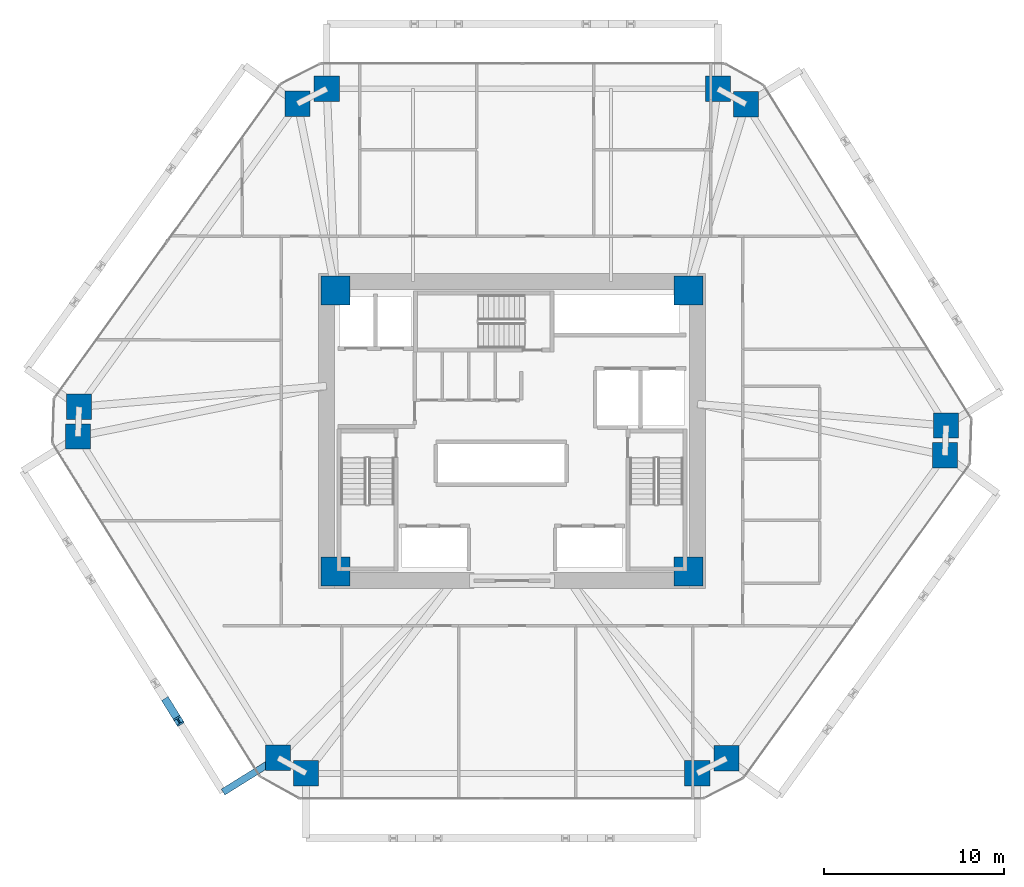
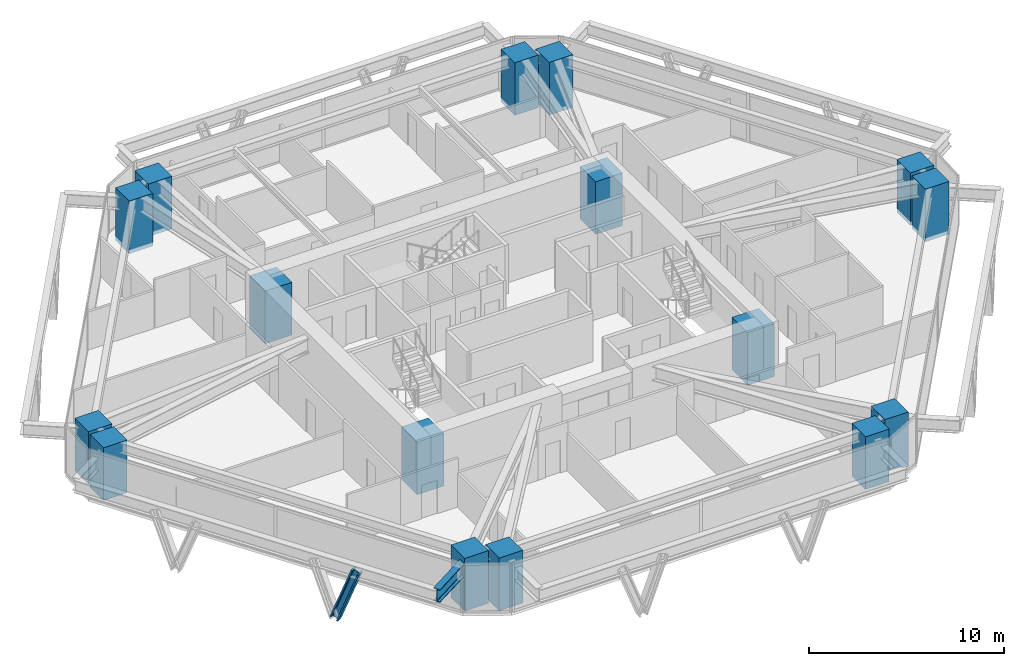
# One storey, part 1 of 15: 16 columns, 1 beam, 1 member.
"""IFC4 building model written with IfcOpenShell, lengths in metres."""

from ifc_helpers import new_model, si_unit, direction, frame, origin, origin_2d, place, context, subcontext, project, spatial, rectangle, i_section, extrude, source, transform, mapped, material, material_profile, profile_set, type_object, type_shapes, element, save


model = new_model("IFC4")

# Units and contexts
model_context = context("Model", 3, precision=1e-05, world=origin(), true_north=direction((0.0, 1.0)))
body_context = subcontext(model_context, "Body", "Model", "MODEL_VIEW")
ifc_project = project(units=[si_unit("LENGTHUNIT", "METRE"), si_unit("AREAUNIT", "SQUARE_METRE"), si_unit("VOLUMEUNIT", "CUBIC_METRE"), si_unit("PLANEANGLEUNIT", "RADIAN"), si_unit("MASSUNIT", "GRAM", prefix="KILO")], contexts=[model_context])

# Site, building, storey
site_placement = place(None, origin())
site = spatial("IfcSite", under=ifc_project, at=site_placement, CompositionType="ELEMENT")
building_placement = place(site_placement, origin())
building = spatial("IfcBuilding", under=site, at=building_placement, Name="Durnholm Broadcast Tower", CompositionType="ELEMENT")
storey_placement = place(building_placement, frame((0.0, 0.0, 42.300048828125)))
storey = spatial("IfcBuildingStorey", under=building, at=storey_placement, Name="L09", CompositionType="ELEMENT", Elevation=42.300048828125)

# Columns
ifc_material_1 = material(Name="Concrete C70/85", Category="concrete")
ifc_material_profile_1 = material_profile(ifc_material_1, rectangle(XDim=1.60009765625, YDim=1.60009765625, at=origin_2d()), Name="RC1600X1600")
ifc_profile_set_1 = profile_set([ifc_material_profile_1], Name="Concrete C70/85")
column_type_1 = type_object("IfcColumnType", Name="COL-CC-1600", PredefinedType="COLUMN", material=ifc_profile_set_1)
shared_shape_1 = source(origin(), body_context, "Body", "SweptSolid", [
    extrude(rectangle(XDim=1.60009765625, YDim=1.60009765625, at=origin_2d()), origin(), (0.0, 0.0, 1.0), 3.300048828125),
])
type_shapes(column_type_1, [shared_shape_1])
for number, where, z_axis, x_axis, name in (
    (1, (-9.800048828125, -7.800048828125, -0.239990234375), (0.0, 0.0, 1.0), (1.0, 0.0, 0.0), "L09 core corner column 1"),
    (2, (9.800048828125, -7.800048828125, -0.239990234375), (0.0, 0.0, 1.0), (1.0, 0.0, 0.0), "L09 core corner column 2"),
    (3, (9.800048828125, 7.800048828125, -0.239990234375), (0.0, 0.0, 1.0), (1.0, 0.0, 0.0), "L09 core corner column 3"),
    (4, (-9.800048828125, 7.800048828125, -0.239990234375), (0.0, 0.0, 1.0), (1.0, 0.0, 0.0), "L09 core corner column 4"),
):
    element("IfcColumn", number, at=place(storey_placement, frame(where, z_axis=z_axis, x_axis=x_axis)), inside=storey, type_object=column_type_1, Name=name, PredefinedType="COLUMN", context=body_context, shape_type="MappedRepresentation", body=[
        mapped(shared_shape_1, transform((0.0, 0.0, 0.0), x_axis=(1.0, 0.0, 0.0), y_axis=(0.0, 1.0, 0.0), z_axis=(0.0, 0.0, 1.0), scale=1.0)),
    ])
ifc_material_profile_2 = material_profile(ifc_material_1, rectangle(XDim=1.39990234375, YDim=1.39990234375, at=origin_2d()), Name="RC1400X1400")
ifc_profile_set_2 = profile_set([ifc_material_profile_2], Name="Concrete C70/85")
column_type_2 = type_object("IfcColumnType", Name="COL-CC-1400", PredefinedType="COLUMN", material=ifc_profile_set_2)
shared_shape_2 = source(origin(), body_context, "Body", "SweptSolid", [
    extrude(rectangle(XDim=1.39990234375, YDim=1.39990234375, at=origin_2d()), origin(), (0.0, 0.0, 1.0), 3.300048828125),
])
type_shapes(column_type_2, [shared_shape_2])
for number, where, z_axis, x_axis, name in (
    (5, (-12.982666015625, -18.138427734375, -0.239990234375), (0.0, 0.0, 1.0), (1.0, 0.0, 0.0), "L09 perimeter hexagonal tube column 01"),
    (6, (-24.0908203125, -0.2998046875, -0.239990234375), (0.0, 0.0, 1.0), (1.0, 0.0, 0.0), "L09 perimeter hexagonal tube column 02"),
    (7, (-24.034912109375, 1.347412109375, -0.239990234375), (0.0, 0.0, 1.0), (1.0, 0.0, 0.0), "L09 perimeter hexagonal tube column 03"),
    (8, (-11.907470703125, 18.16845703125, -0.239990234375), (0.0, 0.0, 1.0), (1.0, 0.0, 0.0), "L09 perimeter hexagonal tube column 04"),
    (9, (-10.28271484375, 19.0, -0.239990234375), (0.0, 0.0, 1.0), (1.0, 0.0, 0.0), "L09 perimeter hexagonal tube column 05"),
    (10, (11.43115234375, 19.0, -0.239990234375), (0.0, 0.0, 1.0), (1.0, 0.0, 0.0), "L09 perimeter hexagonal tube column 06"),
    (11, (12.982666015625, 18.138427734375, -0.239990234375), (0.0, 0.0, 1.0), (1.0, 0.0, 0.0), "L09 perimeter hexagonal tube column 07"),
    (12, (24.0908203125, 0.2998046875, -0.239990234375), (0.0, 0.0, 1.0), (1.0, 0.0, 0.0), "L09 perimeter hexagonal tube column 08"),
    (13, (24.034912109375, -1.347412109375, -0.239990234375), (0.0, 0.0, 1.0), (1.0, 0.0, 0.0), "L09 perimeter hexagonal tube column 09"),
    (14, (11.907470703125, -18.16845703125, -0.239990234375), (0.0, 0.0, 1.0), (1.0, 0.0, 0.0), "L09 perimeter hexagonal tube column 10"),
    (15, (10.28271484375, -19.0, -0.239990234375), (0.0, 0.0, 1.0), (1.0, 0.0, 0.0), "L09 perimeter hexagonal tube column 11"),
    (16, (-11.43115234375, -19.0, -0.239990234375), (0.0, 0.0, 1.0), (1.0, 0.0, 0.0), "L09 perimeter hexagonal tube column 12"),
):
    element("IfcColumn", number, at=place(storey_placement, frame(where, z_axis=z_axis, x_axis=x_axis)), inside=storey, type_object=column_type_2, Name=name, PredefinedType="COLUMN", context=body_context, shape_type="MappedRepresentation", body=[
        mapped(shared_shape_2, transform((0.0, 0.0, 0.0), x_axis=(1.0, 0.0, 0.0), y_axis=(0.0, 1.0, 0.0), z_axis=(0.0, 0.0, 1.0), scale=1.0)),
    ])

# Beam
ifc_material_2 = material(Name="Steel ASTM A992 Grade 50", Category="steel")
ifc_material_profile_3 = material_profile(ifc_material_2, i_section(OverallWidth=0.385009765625, OverallDepth=0.802978515625, WebThickness=0.023681640625, FlangeThickness=0.0419921875, FilletRadius=0.032958984375, at=origin_2d()), Name="W30X261")
ifc_profile_set_3 = profile_set([ifc_material_profile_3], Name="Steel ASTM A992 Grade 50")
beam_type = type_object("IfcBeamType", Name="BM-EXO-TIE", PredefinedType="USERDEFINED", material=ifc_profile_set_3)
shared_shape_3 = source(origin(), body_context, "Body", "SweptSolid", [
    extrude(i_section(OverallWidth=0.385009765625, OverallDepth=0.802978515625, WebThickness=0.023681640625, FlangeThickness=0.0419921875, FilletRadius=0.032958984375, at=origin_2d()), origin(), (0.0, 0.0, 1.0), 3.4560546875),
])
type_shapes(beam_type, [shared_shape_3])
beam_placement = place(storey_placement, frame((-13.10498046875, -18.214599609375, 2.30859375), z_axis=(-0.848854443891, -0.528626648105, 0.0), x_axis=(0.528626648105, -0.848854443891, 0.0)))
element("IfcBeam", 17, at=beam_placement, inside=storey, type_object=beam_type, Name="L09 exoskeleton stand-off tie bracket F6.2", ObjectType="GIRDER", PredefinedType="USERDEFINED", context=body_context, shape_type="MappedRepresentation", body=[
    mapped(shared_shape_3, transform((0.0, 0.0, 0.0), x_axis=(1.0, 0.0, 0.0), y_axis=(0.0, 1.0, 0.0), z_axis=(0.0, 0.0, 1.0), scale=1.0)),
])

# Member
ifc_material_3 = material(Name="Steel ASTM A913 Grade 65", Category="steel")
ifc_material_profile_4 = material_profile(ifc_material_3, i_section(OverallWidth=0.43212890625, OverallDepth=0.497802734375, WebThickness=0.0556640625, FlangeThickness=0.0888671875, FilletRadius=0.030517578125, at=origin_2d()), Name="W14X500")
ifc_profile_set_4 = profile_set([ifc_material_profile_4], Name="Steel ASTM A913 Grade 65")
member_type = type_object("IfcMemberType", Name="STL-DG-W14X500", PredefinedType="BRACE", material=ifc_profile_set_4)
shared_shape_4 = source(origin(), body_context, "Body", "SweptSolid", [
    extrude(i_section(OverallWidth=0.43212890625, OverallDepth=0.497802734375, WebThickness=0.0556640625, FlangeThickness=0.0888671875, FilletRadius=0.030517578125, at=origin_2d()), origin(), (0.0, 0.0, 1.0), 3.523193359375),
])
type_shapes(member_type, [shared_shape_4])
member_placement = place(storey_placement, frame((-19.14892578125, -15.04638671875, -0.991455078125), z_axis=(0.185090383068, -0.297281072018, 0.936677913861), x_axis=(0.848908635391, 0.528539618911, 0.0)))
element("IfcMember", 18, at=member_placement, inside=storey, type_object=member_type, Name="L09 stand-off diagrid brace F6.D2.2", PredefinedType="BRACE", context=body_context, shape_type="MappedRepresentation", body=[
    mapped(shared_shape_4, transform((0.0, 0.0, 0.0), x_axis=(1.0, 0.0, 0.0), y_axis=(0.0, 1.0, 0.0), z_axis=(0.0, 0.0, 1.0), scale=1.0)),
])

save(model, "model.ifc")
